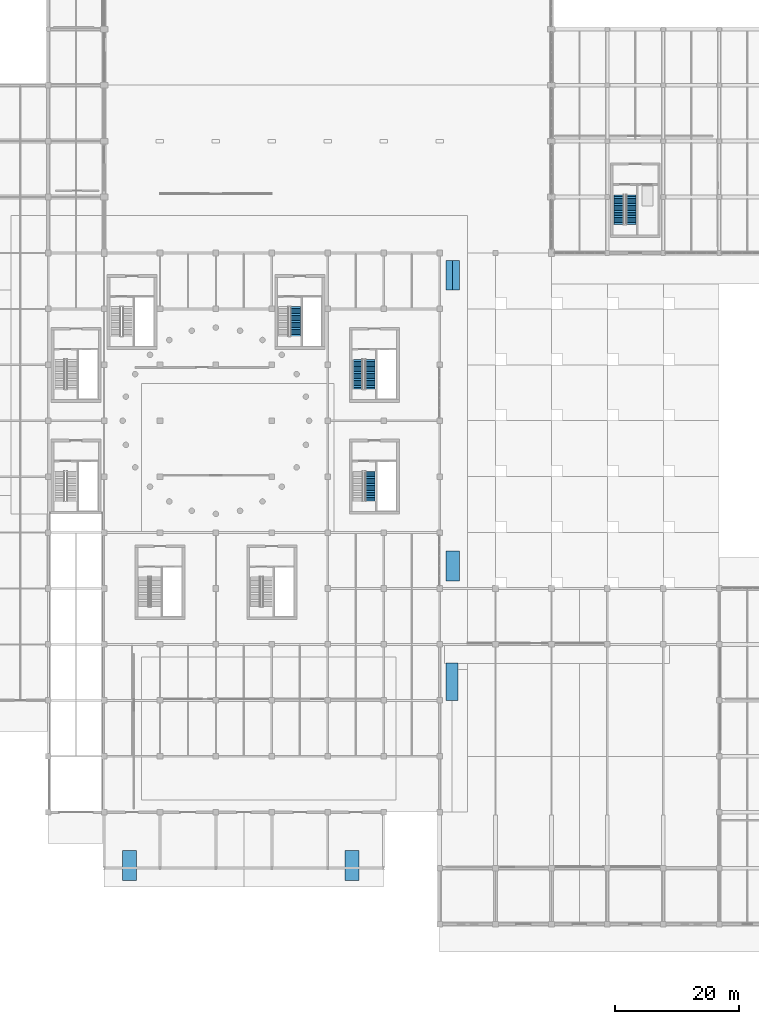
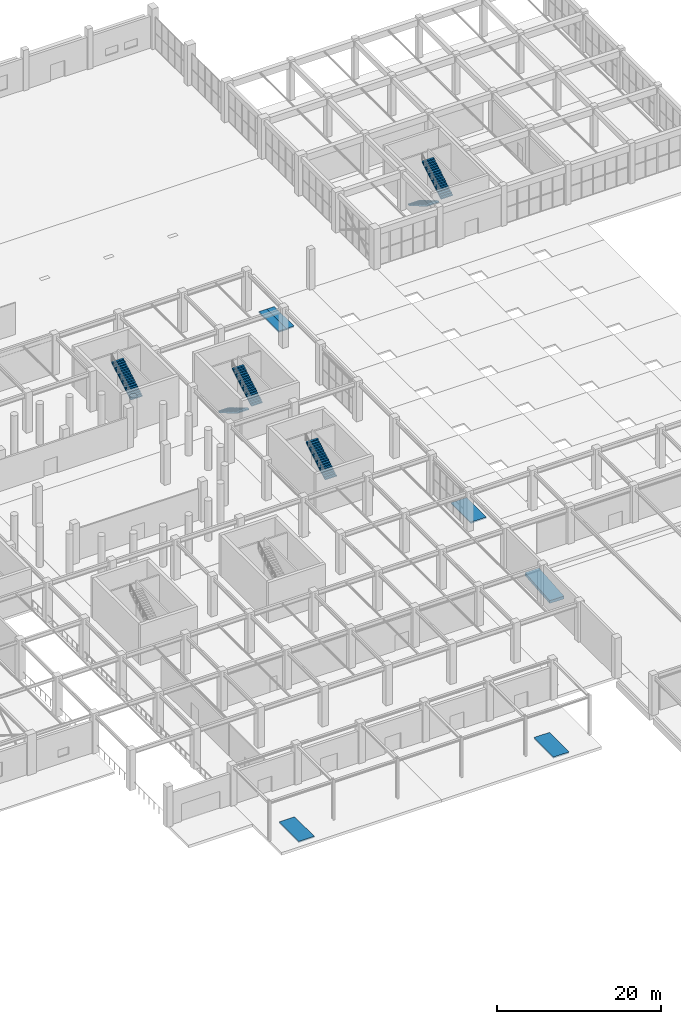
# One storey, part 71 of 91: 6 ramp flights, 6 stair flights, 9 elements without a shape of their own.
"""IFC4 building model written with IfcOpenShell, lengths in metres."""

from ifc_helpers import new_model, si_unit, direction, frame, origin, place, context, subcontext, project, spatial, polyline, outline, extrude, material, layer, layer_set, type_object, element, aggregate, save


model = new_model("IFC4")

# Units and contexts
model_context = context("Model", 3, precision=1e-05, world=origin(), true_north=direction((0.0, 1.0)))
body_context = subcontext(model_context, "Body", "Model", "MODEL_VIEW")
ifc_project = project(units=[si_unit("LENGTHUNIT", "METRE"), si_unit("AREAUNIT", "SQUARE_METRE"), si_unit("VOLUMEUNIT", "CUBIC_METRE"), si_unit("PLANEANGLEUNIT", "RADIAN"), si_unit("MASSUNIT", "GRAM", prefix="KILO")], contexts=[model_context])

# Site, building, storey
site_placement = place(None, origin())
site = spatial("IfcSite", under=ifc_project, at=site_placement, CompositionType="ELEMENT")
building_placement = place(site_placement, origin())
building = spatial("IfcBuilding", under=site, at=building_placement, Name="Dornveld Trade and Exhibition Forum", CompositionType="ELEMENT")
storey_placement = place(building_placement, origin())
storey = spatial("IfcBuildingStorey", under=building, at=storey_placement, Name="L00", CompositionType="ELEMENT", Elevation=0.0)

# Stair, stair flights
ifc_material_1 = material(Name="Concrete C40/50", Category="concrete")
stair_type_1 = type_object("IfcStairType", Name="ST-2RET-600A", PredefinedType="HALF_TURN_STAIR", material=ifc_material_1)
stair_1_placement = place(storey_placement, origin())
stair_1 = element("IfcStair", 1, at=stair_1_placement, inside=storey, type_object=stair_type_1, Name="CORE-01 escape stair L00 to L01", PredefinedType="HALF_TURN_STAIR")
ifc_material_2 = material(Name="Concrete C40/50", Category="concrete")
ifc_layer_1 = layer(ifc_material_2, 0.179931640625)
ifc_layer_set_1 = layer_set([ifc_layer_1], Name="Concrete C40/50")
stair_flight_type_1 = type_object("IfcStairFlightType", Name="STF-155", PredefinedType="STRAIGHT", material=ifc_layer_set_1)
stair_flight_1_placement = place(storey_placement, frame((139.8798828125, 90.85009765625, 0.0), z_axis=(0.0, 0.0, 1.0), x_axis=(0.0, -1.0, 0.0)))
stair_flight_1 = element("IfcStairFlight", 2, at=stair_flight_1_placement, type_object=stair_flight_type_1, Name="ST-01-L00 flight 1", NumberOfRisers=18, NumberOfTreads=17, PredefinedType="STRAIGHT", RiserHeight=0.166666667, TreadLength=0.28, context=body_context, shape_type="SweptSolid", body=[
    extrude(outline(polyline([(0.0, 0.0), (0.0, 0.166748046875), (0.280029296875, 0.166748046875), (0.280029296875, 0.333251953125), (0.56005859375, 0.333251953125), (0.56005859375, 0.5), (0.840087890625, 0.5), (0.840087890625, 0.666748046875), (1.1201171875, 0.666748046875), (1.1201171875, 0.833251953125), (1.39990234375, 0.833251953125), (1.39990234375, 1.0), (1.679931640625, 1.0), (1.679931640625, 1.166748046875), (1.9599609375, 1.166748046875), (1.9599609375, 1.333251953125), (2.239990234375, 1.333251953125), (2.239990234375, 1.5), (2.52001953125, 1.5), (2.52001953125, 1.666748046875), (2.800048828125, 1.666748046875), (2.800048828125, 1.833251953125), (3.080078125, 1.833251953125), (3.080078125, 2.0), (3.360107421875, 2.0), (3.360107421875, 2.166748046875), (3.639892578125, 2.166748046875), (3.639892578125, 2.333251953125), (3.919921875, 2.333251953125), (3.919921875, 2.5), (4.199951171875, 2.5), (4.199951171875, 2.666748046875), (4.47998046875, 2.666748046875), (4.47998046875, 2.833251953125), (4.760009765625, 2.833251953125), (4.760009765625, 3.0), (4.760009765625, 2.647216796875), (0.312744140625, 0.0), (0.0, 0.0)])), frame((0.0, 0.77490234375, 0.0), z_axis=(0.0, -1.0, 0.0), x_axis=(1.0, 0.0, 0.0)), (0.0, 0.0, 1.0), 1.550048828125),
])
stair_flight_2_placement = place(storey_placement, frame((141.820068359375, 86.090087890625, 3.0), z_axis=(0.0, 0.0, 1.0), x_axis=(0.0, 1.0, 0.0)))
stair_flight_2 = element("IfcStairFlight", 3, at=stair_flight_2_placement, type_object=stair_flight_type_1, Name="ST-01-L00 flight 2", NumberOfRisers=18, NumberOfTreads=17, PredefinedType="STRAIGHT", RiserHeight=0.166666667, TreadLength=0.28, context=body_context, shape_type="SweptSolid", body=[
    extrude(outline(polyline([(0.0, 0.0), (0.0, 0.166748046875), (0.280029296875, 0.166748046875), (0.280029296875, 0.333251953125), (0.56005859375, 0.333251953125), (0.56005859375, 0.5), (0.840087890625, 0.5), (0.840087890625, 0.666748046875), (1.1201171875, 0.666748046875), (1.1201171875, 0.833251953125), (1.39990234375, 0.833251953125), (1.39990234375, 1.0), (1.679931640625, 1.0), (1.679931640625, 1.166748046875), (1.9599609375, 1.166748046875), (1.9599609375, 1.333251953125), (2.239990234375, 1.333251953125), (2.239990234375, 1.5), (2.52001953125, 1.5), (2.52001953125, 1.666748046875), (2.800048828125, 1.666748046875), (2.800048828125, 1.833251953125), (3.080078125, 1.833251953125), (3.080078125, 2.0), (3.360107421875, 2.0), (3.360107421875, 2.166748046875), (3.639892578125, 2.166748046875), (3.639892578125, 2.333251953125), (3.919921875, 2.333251953125), (3.919921875, 2.5), (4.199951171875, 2.5), (4.199951171875, 2.666748046875), (4.47998046875, 2.666748046875), (4.47998046875, 2.833251953125), (4.760009765625, 2.833251953125), (4.760009765625, 3.0), (4.760009765625, 2.647216796875), (0.312744140625, 0.0), (0.0, 0.0)])), frame((0.0, 0.77490234375, 0.0), z_axis=(0.0, -1.0, 0.0), x_axis=(1.0, 0.0, 0.0)), (0.0, 0.0, 1.0), 1.550048828125),
])
aggregate(stair_1, [stair_flight_1, stair_flight_2])

# Stair, stair flight
ifc_material_3 = material(Name="Concrete C40/50", Category="concrete")
stair_type_2 = type_object("IfcStairType", Name="ST-2RET-600B", PredefinedType="HALF_TURN_STAIR", material=ifc_material_3)
stair_2_placement = place(storey_placement, origin())
stair_2 = element("IfcStair", 4, at=stair_2_placement, inside=storey, type_object=stair_type_2, Name="CORE-02 escape stair L00 to L01", PredefinedType="HALF_TURN_STAIR")
ifc_material_4 = material(Name="Concrete C40/50", Category="concrete")
ifc_layer_2 = layer(ifc_material_4, 0.179931640625)
ifc_layer_set_2 = layer_set([ifc_layer_2], Name="Concrete C40/50")
stair_flight_type_2 = type_object("IfcStairFlightType", Name="STF-162", PredefinedType="STRAIGHT", material=ifc_layer_set_2)
stair_flight_3_placement = place(storey_placement, frame((129.820068359375, 94.590087890625, 3.0), z_axis=(0.0, 0.0, 1.0), x_axis=(0.0, 1.0, 0.0)))
stair_flight_3 = element("IfcStairFlight", 5, at=stair_flight_3_placement, type_object=stair_flight_type_2, Name="ST-02-L00 flight 2", NumberOfRisers=18, NumberOfTreads=17, PredefinedType="STRAIGHT", RiserHeight=0.166666667, TreadLength=0.28, context=body_context, shape_type="SweptSolid", body=[
    extrude(outline(polyline([(0.0, 0.0), (0.0, 0.166748046875), (0.280029296875, 0.166748046875), (0.280029296875, 0.333251953125), (0.56005859375, 0.333251953125), (0.56005859375, 0.5), (0.840087890625, 0.5), (0.840087890625, 0.666748046875), (1.1201171875, 0.666748046875), (1.1201171875, 0.833251953125), (1.39990234375, 0.833251953125), (1.39990234375, 1.0), (1.679931640625, 1.0), (1.679931640625, 1.166748046875), (1.9599609375, 1.166748046875), (1.9599609375, 1.333251953125), (2.239990234375, 1.333251953125), (2.239990234375, 1.5), (2.52001953125, 1.5), (2.52001953125, 1.666748046875), (2.800048828125, 1.666748046875), (2.800048828125, 1.833251953125), (3.080078125, 1.833251953125), (3.080078125, 2.0), (3.360107421875, 2.0), (3.360107421875, 2.166748046875), (3.639892578125, 2.166748046875), (3.639892578125, 2.333251953125), (3.919921875, 2.333251953125), (3.919921875, 2.5), (4.199951171875, 2.5), (4.199951171875, 2.666748046875), (4.47998046875, 2.666748046875), (4.47998046875, 2.833251953125), (4.760009765625, 2.833251953125), (4.760009765625, 3.0), (4.760009765625, 2.647216796875), (0.312744140625, 0.0), (0.0, 0.0)])), frame((0.0, 0.81005859375, 0.0), z_axis=(0.0, -1.0, 0.0), x_axis=(1.0, 0.0, 0.0)), (0.0, 0.0, 1.0), 1.6201171875),
])
aggregate(stair_2, [stair_flight_3])

stair_3_placement = place(storey_placement, origin())
stair_3 = element("IfcStair", 6, at=stair_3_placement, inside=storey, type_object=stair_type_2, Name="CORE-08 escape stair L00 to L01", PredefinedType="HALF_TURN_STAIR")
stair_flight_4_placement = place(storey_placement, frame((141.820068359375, 68.090087890625, 3.0), z_axis=(0.0, 0.0, 1.0), x_axis=(0.0, 1.0, 0.0)))
stair_flight_4 = element("IfcStairFlight", 7, at=stair_flight_4_placement, type_object=stair_flight_type_2, Name="ST-08-L00 flight 2", NumberOfRisers=18, NumberOfTreads=17, PredefinedType="STRAIGHT", RiserHeight=0.166666667, TreadLength=0.28, context=body_context, shape_type="SweptSolid", body=[
    extrude(outline(polyline([(0.0, 0.0), (0.0, 0.166748046875), (0.280029296875, 0.166748046875), (0.280029296875, 0.333251953125), (0.56005859375, 0.333251953125), (0.56005859375, 0.5), (0.840087890625, 0.5), (0.840087890625, 0.666748046875), (1.1201171875, 0.666748046875), (1.1201171875, 0.833251953125), (1.39990234375, 0.833251953125), (1.39990234375, 1.0), (1.679931640625, 1.0), (1.679931640625, 1.166748046875), (1.9599609375, 1.166748046875), (1.9599609375, 1.333251953125), (2.239990234375, 1.333251953125), (2.239990234375, 1.5), (2.52001953125, 1.5), (2.52001953125, 1.666748046875), (2.800048828125, 1.666748046875), (2.800048828125, 1.833251953125), (3.080078125, 1.833251953125), (3.080078125, 2.0), (3.360107421875, 2.0), (3.360107421875, 2.166748046875), (3.639892578125, 2.166748046875), (3.639892578125, 2.333251953125), (3.919921875, 2.333251953125), (3.919921875, 2.5), (4.199951171875, 2.5), (4.199951171875, 2.666748046875), (4.47998046875, 2.666748046875), (4.47998046875, 2.833251953125), (4.760009765625, 2.833251953125), (4.760009765625, 3.0), (4.760009765625, 2.647216796875), (0.312744140625, 0.0), (0.0, 0.0)])), frame((0.0, 0.81005859375, 0.0), z_axis=(0.0, -1.0, 0.0), x_axis=(1.0, 0.0, 0.0)), (0.0, 0.0, 1.0), 1.6201171875),
])
aggregate(stair_3, [stair_flight_4])

# Stair, stair flights
stair_4_placement = place(storey_placement, origin())
stair_4 = element("IfcStair", 8, at=stair_4_placement, inside=storey, type_object=stair_type_2, Name="CORE-12 escape stair L00 to L01", PredefinedType="HALF_TURN_STAIR")
stair_flight_5_placement = place(storey_placement, frame((181.8798828125, 117.35009765625, 0.0), z_axis=(0.0, 0.0, 1.0), x_axis=(0.0, -1.0, 0.0)))
stair_flight_5 = element("IfcStairFlight", 9, at=stair_flight_5_placement, type_object=stair_flight_type_2, Name="ST-12-L00 flight 1", NumberOfRisers=18, NumberOfTreads=17, PredefinedType="STRAIGHT", RiserHeight=0.166666667, TreadLength=0.28, context=body_context, shape_type="SweptSolid", body=[
    extrude(outline(polyline([(0.0, 0.0), (0.0, 0.166748046875), (0.280029296875, 0.166748046875), (0.280029296875, 0.333251953125), (0.56005859375, 0.333251953125), (0.56005859375, 0.5), (0.840087890625, 0.5), (0.840087890625, 0.666748046875), (1.1201171875, 0.666748046875), (1.1201171875, 0.833251953125), (1.39990234375, 0.833251953125), (1.39990234375, 1.0), (1.679931640625, 1.0), (1.679931640625, 1.166748046875), (1.9599609375, 1.166748046875), (1.9599609375, 1.333251953125), (2.239990234375, 1.333251953125), (2.239990234375, 1.5), (2.52001953125, 1.5), (2.52001953125, 1.666748046875), (2.800048828125, 1.666748046875), (2.800048828125, 1.833251953125), (3.080078125, 1.833251953125), (3.080078125, 2.0), (3.360107421875, 2.0), (3.360107421875, 2.166748046875), (3.639892578125, 2.166748046875), (3.639892578125, 2.333251953125), (3.919921875, 2.333251953125), (3.919921875, 2.5), (4.199951171875, 2.5), (4.199951171875, 2.666748046875), (4.47998046875, 2.666748046875), (4.47998046875, 2.833251953125), (4.760009765625, 2.833251953125), (4.760009765625, 3.0), (4.760009765625, 2.647216796875), (0.312744140625, 0.0), (0.0, 0.0)])), frame((0.0, 0.81005859375, 0.0), z_axis=(0.0, -1.0, 0.0), x_axis=(1.0, 0.0, 0.0)), (0.0, 0.0, 1.0), 1.6201171875),
])
stair_flight_6_placement = place(storey_placement, frame((183.820068359375, 112.590087890625, 3.0), z_axis=(0.0, 0.0, 1.0), x_axis=(0.0, 1.0, 0.0)))
stair_flight_6 = element("IfcStairFlight", 10, at=stair_flight_6_placement, type_object=stair_flight_type_2, Name="ST-12-L00 flight 2", NumberOfRisers=18, NumberOfTreads=17, PredefinedType="STRAIGHT", RiserHeight=0.166666667, TreadLength=0.28, context=body_context, shape_type="SweptSolid", body=[
    extrude(outline(polyline([(0.0, 0.0), (0.0, 0.166748046875), (0.280029296875, 0.166748046875), (0.280029296875, 0.333251953125), (0.56005859375, 0.333251953125), (0.56005859375, 0.5), (0.840087890625, 0.5), (0.840087890625, 0.666748046875), (1.1201171875, 0.666748046875), (1.1201171875, 0.833251953125), (1.39990234375, 0.833251953125), (1.39990234375, 1.0), (1.679931640625, 1.0), (1.679931640625, 1.166748046875), (1.9599609375, 1.166748046875), (1.9599609375, 1.333251953125), (2.239990234375, 1.333251953125), (2.239990234375, 1.5), (2.52001953125, 1.5), (2.52001953125, 1.666748046875), (2.800048828125, 1.666748046875), (2.800048828125, 1.833251953125), (3.080078125, 1.833251953125), (3.080078125, 2.0), (3.360107421875, 2.0), (3.360107421875, 2.166748046875), (3.639892578125, 2.166748046875), (3.639892578125, 2.333251953125), (3.919921875, 2.333251953125), (3.919921875, 2.5), (4.199951171875, 2.5), (4.199951171875, 2.666748046875), (4.47998046875, 2.666748046875), (4.47998046875, 2.833251953125), (4.760009765625, 2.833251953125), (4.760009765625, 3.0), (4.760009765625, 2.647216796875), (0.312744140625, 0.0), (0.0, 0.0)])), frame((0.0, 0.81005859375, 0.0), z_axis=(0.0, -1.0, 0.0), x_axis=(1.0, 0.0, 0.0)), (0.0, 0.0, 1.0), 1.6201171875),
])
aggregate(stair_4, [stair_flight_5, stair_flight_6])

# Ramp, ramp flight
ifc_material_5 = material(Name="Concrete C40/50", Category="concrete")
ifc_layer_3 = layer(ifc_material_5, 0.300048828125)
ifc_layer_set_3 = layer_set([ifc_layer_3], Name="Concrete C40/50")
ramp_type = type_object("IfcRampType", Name="RMP-B1-SERV", PredefinedType="STRAIGHT_RUN_RAMP", material=ifc_layer_set_3)
ramp_1_placement = place(storey_placement, origin())
ramp_1 = element("IfcRamp", 11, at=ramp_1_placement, inside=storey, type_object=ramp_type, Name="Congress Stage 1:12 Accessible Ramp", PredefinedType="STRAIGHT_RUN_RAMP")
ifc_material_6 = material(Name="Concrete C40/50", Category="concrete")
ifc_layer_4 = layer(ifc_material_6, 0.300048828125)
ifc_layer_set_4 = layer_set([ifc_layer_4], Name="Concrete C40/50")
ramp_flight_type = type_object("IfcRampFlightType", Name="RMF-B1-300", PredefinedType="STRAIGHT", material=ifc_layer_set_4)
ramp_flight_1_placement = place(storey_placement, frame((155.0, 35.969970703125, -0.00244140625), z_axis=(0.0, 0.0, 1.0), x_axis=(0.0, 1.0, 0.0)))
ramp_flight_1 = element("IfcRampFlight", 12, at=ramp_flight_1_placement, type_object=ramp_flight_type, Name="Congress Stage 1:12 Accessible Ramp flight 1", PredefinedType="STRAIGHT", context=body_context, shape_type="SweptSolid", body=[
    extrude(outline(polyline([(0.0, -0.419921875), (0.0, 0.0), (6.06005859375, 0.5048828125), (6.06005859375, 0.0849609375), (0.0, -0.419921875)])), frame((0.0, 1.0, 0.0), z_axis=(0.0, -1.0, 0.0), x_axis=(1.0, 0.0, 0.0)), (0.0, 0.0, 1.0), 2.0),
])
aggregate(ramp_1, [ramp_flight_1])

# Ramp, ramp flights
ramp_2_placement = place(storey_placement, origin())
ramp_2 = element("IfcRamp", 13, at=ramp_2_placement, inside=storey, type_object=ramp_type, Name="Park Garden Court North 1:12 Accessible Ramp", PredefinedType="STRAIGHT_RUN_RAMP")
ramp_flight_2_placement = place(storey_placement, frame((0.0, 0.0, -0.199951171875)))
ramp_flight_2 = element("IfcRampFlight", 14, at=ramp_flight_2_placement, type_object=ramp_flight_type, Name="Park Garden Court North 1:12 Accessible Ramp flight 1", PredefinedType="STRAIGHT", context=body_context, shape_type="SweptSolid", body=[
    extrude(outline(polyline([(154.0, 102.0), (155.10009765625, 102.0), (155.10009765625, 106.800048828125), (154.0, 106.800048828125), (154.0, 102.0)])), origin(), (0.0, 0.0, 1.0), 0.199951171875),
])
ramp_flight_3_placement = place(storey_placement, frame((0.0, 0.0, -0.199951171875)))
ramp_flight_3 = element("IfcRampFlight", 15, at=ramp_flight_3_placement, type_object=ramp_flight_type, Name="Park Garden Court North 1:12 Accessible Ramp flight 2", PredefinedType="STRAIGHT", context=body_context, shape_type="SweptSolid", body=[
    extrude(outline(polyline([(155.10009765625, 102.0), (156.199951171875, 102.0), (156.199951171875, 106.800048828125), (155.10009765625, 106.800048828125), (155.10009765625, 102.0)])), origin(), (0.0, 0.0, 1.0), 0.199951171875),
])
aggregate(ramp_2, [ramp_flight_2, ramp_flight_3])

# Ramp, ramp flight
ramp_3_placement = place(storey_placement, origin())
ramp_3 = element("IfcRamp", 16, at=ramp_3_placement, inside=storey, type_object=ramp_type, Name="Park Garden Court South 1:12 Accessible Ramp", PredefinedType="STRAIGHT_RUN_RAMP")
ramp_flight_4_placement = place(storey_placement, frame((0.0, 0.0, -0.199951171875)))
ramp_flight_4 = element("IfcRampFlight", 17, at=ramp_flight_4_placement, type_object=ramp_flight_type, Name="Park Garden Court South 1:12 Accessible Ramp flight 1", PredefinedType="STRAIGHT", context=body_context, shape_type="SweptSolid", body=[
    extrude(outline(polyline([(154.0, 55.199951171875), (156.199951171875, 55.199951171875), (156.199951171875, 60.0), (154.0, 60.0), (154.0, 55.199951171875)])), origin(), (0.0, 0.0, 1.0), 0.199951171875),
])
aggregate(ramp_3, [ramp_flight_4])

ramp_4_placement = place(storey_placement, origin())
ramp_4 = element("IfcRamp", 18, at=ramp_4_placement, inside=storey, type_object=ramp_type, Name="South Forecourt West 1:12 Accessible Ramp", PredefinedType="STRAIGHT_RUN_RAMP")
ramp_flight_5_placement = place(storey_placement, frame((0.0, 0.0, -0.199951171875)))
ramp_flight_5 = element("IfcRampFlight", 19, at=ramp_flight_5_placement, type_object=ramp_flight_type, Name="South Forecourt West 1:12 Accessible Ramp flight 1", PredefinedType="STRAIGHT", context=body_context, shape_type="SweptSolid", body=[
    extrude(outline(polyline([(102.0, 7.0), (104.199951171875, 7.0), (104.199951171875, 11.800048828125), (102.0, 11.800048828125), (102.0, 7.0)])), origin(), (0.0, 0.0, 1.0), 0.199951171875),
])
aggregate(ramp_4, [ramp_flight_5])

ramp_5_placement = place(storey_placement, origin())
ramp_5 = element("IfcRamp", 20, at=ramp_5_placement, inside=storey, type_object=ramp_type, Name="South Forecourt East 1:12 Accessible Ramp", PredefinedType="STRAIGHT_RUN_RAMP")
ramp_flight_6_placement = place(storey_placement, frame((0.0, 0.0, -0.199951171875)))
ramp_flight_6 = element("IfcRampFlight", 21, at=ramp_flight_6_placement, type_object=ramp_flight_type, Name="South Forecourt East 1:12 Accessible Ramp flight 1", PredefinedType="STRAIGHT", context=body_context, shape_type="SweptSolid", body=[
    extrude(outline(polyline([(137.800048828125, 7.0), (140.0, 7.0), (140.0, 11.800048828125), (137.800048828125, 11.800048828125), (137.800048828125, 7.0)])), origin(), (0.0, 0.0, 1.0), 0.199951171875),
])
aggregate(ramp_5, [ramp_flight_6])

save(model, "model.ifc")
